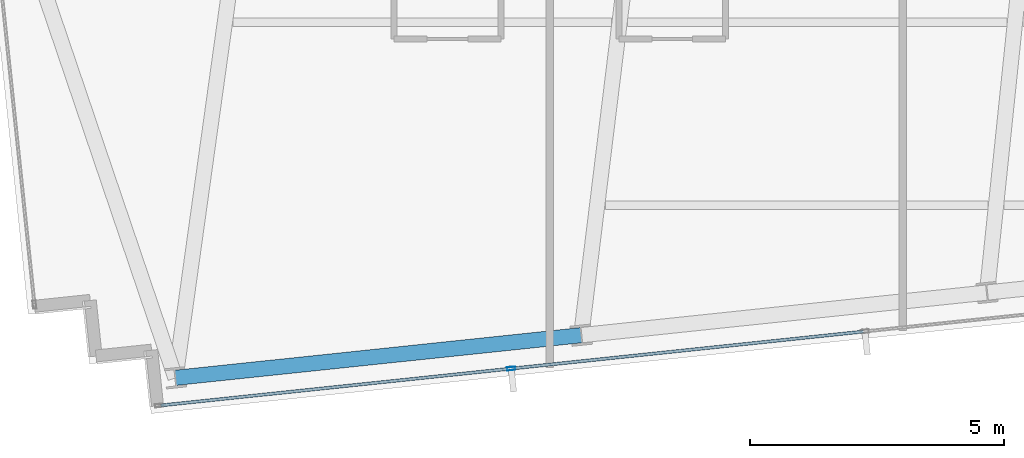
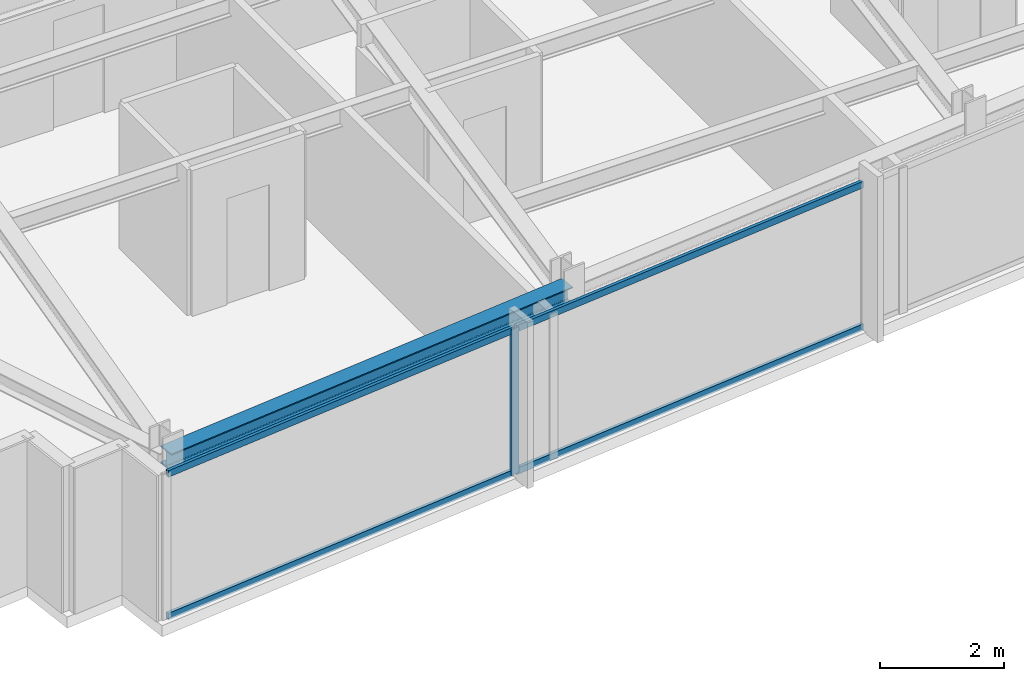
# One storey, part 3 of 33: 5 members, 1 beam, 1 element without a shape of its own.
"""IFC4 building model written with IfcOpenShell, lengths in metres."""

from ifc_helpers import new_model, si_unit, direction, frame, origin, origin_2d, place, context, subcontext, project, spatial, hollow_rectangle, i_section, extrude, material, material_profile, profile_set, type_object, element, aggregate, save


model = new_model("IFC4")

# Units and contexts
model_context = context("Model", 3, precision=1e-05, world=origin(), true_north=direction((0.0, 1.0)))
body_context = subcontext(model_context, "Body", "Model", "MODEL_VIEW")
ifc_project = project(units=[si_unit("LENGTHUNIT", "METRE"), si_unit("AREAUNIT", "SQUARE_METRE"), si_unit("VOLUMEUNIT", "CUBIC_METRE"), si_unit("PLANEANGLEUNIT", "RADIAN"), si_unit("MASSUNIT", "GRAM", prefix="KILO")], contexts=[model_context])

# Site, building, storey
site_placement = place(None, origin())
site = spatial("IfcSite", under=ifc_project, at=site_placement, CompositionType="ELEMENT")
building_placement = place(site_placement, origin())
building = spatial("IfcBuilding", under=site, at=building_placement, Name="Yelkora Congress Tower", CompositionType="ELEMENT")
storey_placement = place(building_placement, frame((0.0, 0.0, 244.10009765625)))
storey = spatial("IfcBuildingStorey", under=building, at=storey_placement, Name="L68", CompositionType="ELEMENT", Elevation=244.10009765625)

# Beam
ifc_material_1 = material(Name="Steel S355J2", Category="steel")
ifc_material_profile_1 = material_profile(ifc_material_1, i_section(OverallWidth=0.300048828125, OverallDepth=0.340087890625, WebThickness=0.011962890625, FlangeThickness=0.021484375, FilletRadius=0.027099609375, at=origin_2d()), Name="HEB 340")
ifc_profile_set_1 = profile_set([ifc_material_profile_1], Name="Steel S355J2")
beam_type = type_object("IfcBeamType", Name="BM-SPAN-HEB340", PredefinedType="SPANDREL", material=ifc_profile_set_1)
beam_placement = place(storey_placement, frame((21.299072265625, 12.678466796875, 2.7099609375), z_axis=(0.994520097542, 0.104545567032, 0.0), x_axis=(-0.104545567032, 0.994520097542, 0.0)))
element("IfcBeam", 1, at=beam_placement, inside=storey, type_object=beam_type, Name="L68 Perimeter Beam 3", PredefinedType="SPANDREL", context=body_context, shape_type="SweptSolid", body=[
    extrude(i_section(OverallWidth=0.300048828125, OverallDepth=0.340087890625, WebThickness=0.011962890625, FlangeThickness=0.021484375, FilletRadius=0.027099609375, at=origin_2d()), origin(), (0.0, 0.0, 1.0), 8.033203125),
])

# Curtain wall, members
ifc_material_2 = material(Name="Anodised aluminium and insulated glass", Category="aluminium")
curtain_wall_type = type_object("IfcCurtainWallType", Name="CW-SYS-B4", PredefinedType="NOTDEFINED", material=ifc_material_2)
curtain_wall_placement = place(storey_placement, origin())
curtain_wall = element("IfcCurtainWall", 2, at=curtain_wall_placement, inside=storey, type_object=curtain_wall_type, Name="L68 Unitised Curtain Wall 20", PredefinedType="NOTDEFINED")
ifc_material_3 = material(Name="Anodised aluminium 6063-T6", Category="aluminium")
ifc_material_profile_2 = material_profile(ifc_material_3, hollow_rectangle(XDim=0.06494140625, YDim=0.159912109375, WallThickness=0.00390625, at=origin_2d()), Name="ALU 65x160x4")
ifc_profile_set_2 = profile_set([ifc_material_profile_2], Name="Anodised aluminium 6063-T6")
member_type_1 = type_object("IfcMemberType", Name="MEM-ML-B4", PredefinedType="MULLION", material=ifc_profile_set_2)
member_1_placement = place(storey_placement, frame((27.9091796875, 12.860595703125, 0.0), z_axis=(0.0, 0.0, 1.0), x_axis=(0.104526664994, -0.994522084373, 0.0)))
member_1 = element("IfcMember", 3, at=member_1_placement, type_object=member_type_1, Name="CW-B4 mullion 7", PredefinedType="MULLION", context=body_context, shape_type="SweptSolid", body=[
    extrude(hollow_rectangle(XDim=0.06494140625, YDim=0.159912109375, WallThickness=0.00390625, at=origin_2d()), origin(), (0.0, 0.0, 1.0), 2.8798828125),
])
ifc_material_profile_3 = material_profile(ifc_material_3, hollow_rectangle(XDim=0.06005859375, YDim=0.1298828125, WallThickness=0.00390625, at=origin_2d()), Name="ALU 60x130x4")
ifc_profile_set_3 = profile_set([ifc_material_profile_3], Name="Anodised aluminium 6063-T6")
member_type_2 = type_object("IfcMemberType", Name="MEM-TR-B4", PredefinedType="USERDEFINED", material=ifc_profile_set_3)
member_2_placement = place(storey_placement, frame((34.84130859375, 13.589111328125, 0.02978515625), z_axis=(-0.994519904787, -0.104547400648, 0.0), x_axis=(0.104547400648, -0.994519904787, 0.0)))
member_2 = element("IfcMember", 4, at=member_2_placement, type_object=member_type_2, Name="CW-B4 transom 6.1", ObjectType="TRANSOM", PredefinedType="USERDEFINED", context=body_context, shape_type="SweptSolid", body=[
    extrude(hollow_rectangle(XDim=0.06005859375, YDim=0.1298828125, WallThickness=0.00390625, at=origin_2d()), origin(), (0.0, 0.0, 1.0), 6.93798828125),
])
member_3_placement = place(storey_placement, frame((34.84130859375, 13.589111328125, 2.849853515625), z_axis=(-0.994519904787, -0.104547400648, 0.0), x_axis=(0.104547400648, -0.994519904787, 0.0)))
member_3 = element("IfcMember", 5, at=member_3_placement, type_object=member_type_2, Name="CW-B4 transom 6.2", ObjectType="TRANSOM", PredefinedType="USERDEFINED", context=body_context, shape_type="SweptSolid", body=[
    extrude(hollow_rectangle(XDim=0.06005859375, YDim=0.1298828125, WallThickness=0.00390625, at=origin_2d()), origin(), (0.0, 0.0, 1.0), 6.93798828125),
])
member_4_placement = place(storey_placement, frame((27.876708984375, 12.857177734375, 0.02978515625), z_axis=(-0.994519973075, -0.104546751053, 0.0), x_axis=(0.104546751053, -0.994519973075, 0.0)))
member_4 = element("IfcMember", 6, at=member_4_placement, type_object=member_type_2, Name="CW-B4 transom 7.1", ObjectType="TRANSOM", PredefinedType="USERDEFINED", context=body_context, shape_type="SweptSolid", body=[
    extrude(hollow_rectangle(XDim=0.06005859375, YDim=0.1298828125, WallThickness=0.00390625, at=origin_2d()), origin(), (0.0, 0.0, 1.0), 6.9052734375),
])
member_5_placement = place(storey_placement, frame((27.876708984375, 12.857177734375, 2.849853515625), z_axis=(-0.994519973075, -0.104546751053, 0.0), x_axis=(0.104546751053, -0.994519973075, 0.0)))
member_5 = element("IfcMember", 7, at=member_5_placement, type_object=member_type_2, Name="CW-B4 transom 7.2", ObjectType="TRANSOM", PredefinedType="USERDEFINED", context=body_context, shape_type="SweptSolid", body=[
    extrude(hollow_rectangle(XDim=0.06005859375, YDim=0.1298828125, WallThickness=0.00390625, at=origin_2d()), origin(), (0.0, 0.0, 1.0), 6.9052734375),
])
aggregate(curtain_wall, [member_1, member_2, member_3, member_4, member_5])

save(model, "model.ifc")
